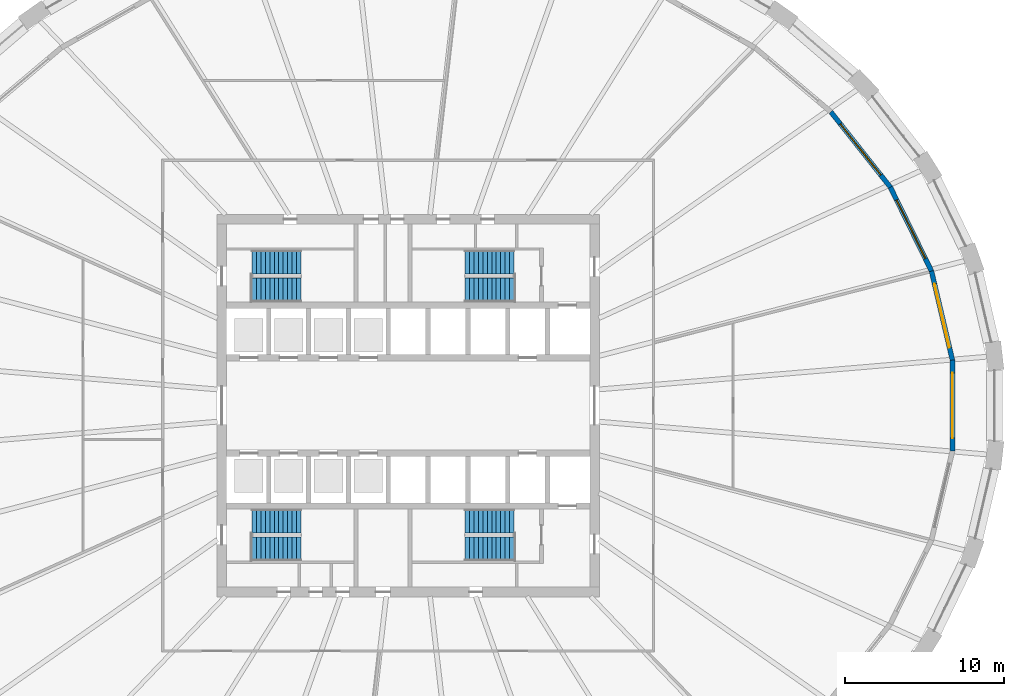
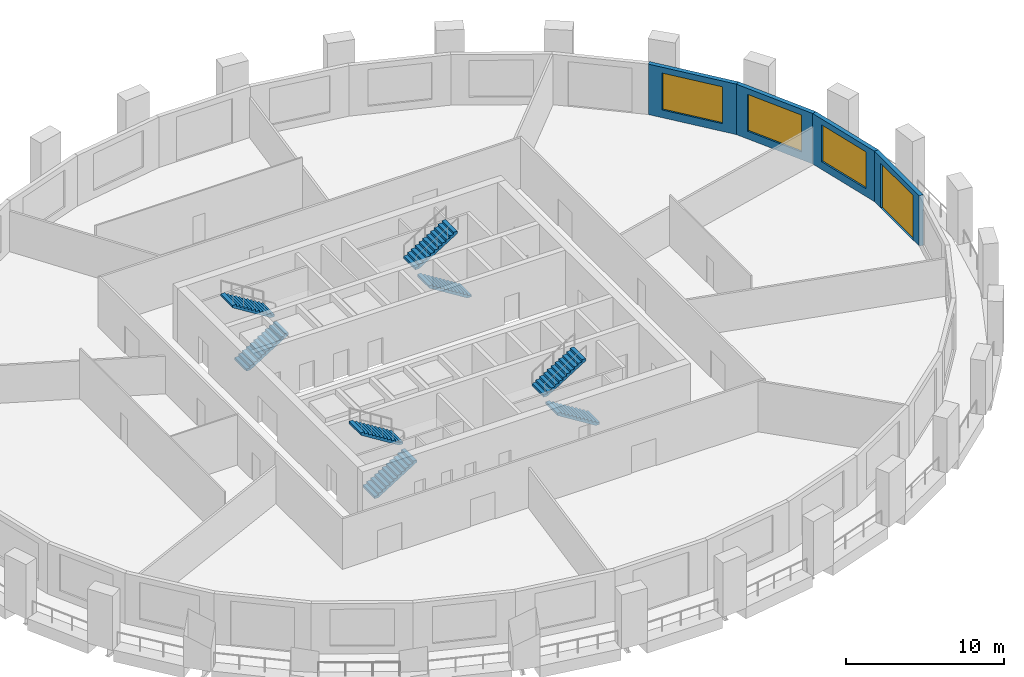
# One storey, part 7 of 10: 8 stair flights, 4 walls, 3 windows, 1 door, 4 openings, 4 elements without a shape of their own.
"""IFC4 building model written with IfcOpenShell, lengths in metres."""

from ifc_helpers import new_model, si_unit, direction, frame, frame_2d, origin, place, context, subcontext, project, spatial, polyline, rectangle, outline, extrude, material, layer, layer_set, type_object, element, fill, aggregate, save


model = new_model("IFC4")

# Units and contexts
model_context = context("Model", 3, precision=1e-05, world=origin(), true_north=direction((0.0, 1.0)))
body_context = subcontext(model_context, "Body", "Model", "MODEL_VIEW")
ifc_project = project(units=[si_unit("LENGTHUNIT", "METRE"), si_unit("AREAUNIT", "SQUARE_METRE"), si_unit("VOLUMEUNIT", "CUBIC_METRE"), si_unit("PLANEANGLEUNIT", "RADIAN"), si_unit("MASSUNIT", "GRAM", prefix="KILO")], contexts=[model_context])

# Site, building, storey
site_placement = place(None, origin())
site = spatial("IfcSite", under=ifc_project, at=site_placement, CompositionType="ELEMENT")
building_placement = place(site_placement, origin())
building = spatial("IfcBuilding", under=site, at=building_placement, Name="Halqa Exchange Tower", CompositionType="ELEMENT")
storey_placement = place(building_placement, frame((0.0, 0.0, 65.5)))
storey = spatial("IfcBuildingStorey", under=building, at=storey_placement, Name="L14", CompositionType="ELEMENT", Elevation=65.5)

# Wall, opening, window
ifc_material_1 = material(Name="Limestone cladding", Category="masonry")
ifc_layer_1 = layer(ifc_material_1, 0.0400390625)
ifc_material_2 = material(Name="Ventilated cavity")
ifc_layer_2 = layer(ifc_material_2, 0.030029296875, ventilated=True)
ifc_material_3 = material(Name="Mineral wool insulation")
ifc_layer_3 = layer(ifc_material_3, 0.10009765625)
ifc_material_4 = material(Name="Concrete C30/37", Category="concrete")
ifc_layer_4 = layer(ifc_material_4, 0.10009765625)
ifc_material_5 = material(Name="Internal plaster")
ifc_layer_5 = layer(ifc_material_5, 0.030029296875)
ifc_layer_set = layer_set([ifc_layer_1, ifc_layer_2, ifc_layer_3, ifc_layer_4, ifc_layer_5], Name="Stone-faced insulated wall 300")
wall_type = type_object("IfcWallType", Name="Stone-faced insulated wall 300", PredefinedType="STANDARD", material=ifc_layer_set)
wall_1_placement = place(storey_placement, frame((34.1591796875, 2.849365234375, 0.0), z_axis=(0.0, 0.0, 1.0), x_axis=(-0.22905355604, 0.973413821797, 0.0)))
wall_1 = element("IfcWall", 1, at=wall_1_placement, inside=storey, type_object=wall_type, Name="Glass-line wall 1", PredefinedType="STANDARD", context=body_context, shape_type="SweptSolid", body=[
    extrude(outline(polyline([(-0.017333984375, -0.14990234375), (5.757568359375, -0.14990234375), (5.723876953125, 0.14990234375), (0.017333984375, 0.14990234375), (-0.017333984375, -0.14990234375)])), origin(), (0.0, 0.0, 1.0), 3.89990234375),
])
opening_1_placement = place(wall_1_placement, frame((0.8203125, 0.0, 0.60009765625)))
opening_1 = element("IfcOpeningElement", 2, at=opening_1_placement, cuts=wall_1, Name="Opening W-F1-01", PredefinedType="OPENING", context=body_context, shape_type="SweptSolid", body=[
    extrude(rectangle(XDim=4.10009765625, YDim=2.85009765625, at=frame_2d((2.050048828125, 1.425048828125))), frame((0.0, 0.162109375, 0.0), z_axis=(0.0, -1.0, 0.0), x_axis=(1.0, 0.0, 0.0)), (0.0, 0.0, 1.0), 0.323974609375),
])
ifc_material_6 = material(Name="Clear low-emissivity glass in aluminium frame", Category="aluminium")
window_type = type_object("IfcWindowType", Name="Fixed clear glazed window 4100 x 2850", PartitioningType="TRIPLE_PANEL_VERTICAL", PredefinedType="WINDOW", material=ifc_material_6)
window_1_placement = place(opening_1_placement, origin())
window_1 = element("IfcWindow", 3, at=window_1_placement, inside=storey, type_object=window_type, Name="Window 1", OverallHeight=2.85009765625, OverallWidth=4.10009765625, PartitioningType="TRIPLE_PANEL_VERTICAL", PredefinedType="WINDOW", context=body_context, shape_type="SweptSolid", body=[
    extrude(rectangle(XDim=4.10009765625, YDim=2.85009765625, at=frame_2d((2.050048828125, 1.425048828125))), frame((0.0, 0.030029296875, 0.0), z_axis=(0.0, -1.0, 0.0), x_axis=(1.0, 0.0, 0.0)), (0.0, 0.0, 1.0), 0.06005859375),
])
fill(opening_1, window_1)

wall_2_placement = place(storey_placement, frame((32.84423828125, 8.4375, 0.0), z_axis=(0.0, 0.0, 1.0), x_axis=(-0.439949735177, 0.898022399786, 0.0)))
wall_2 = element("IfcWall", 4, at=wall_2_placement, inside=storey, type_object=wall_type, Name="Glass-line wall 2", PredefinedType="STANDARD", context=body_context, shape_type="SweptSolid", body=[
    extrude(outline(polyline([(-0.016845703125, -0.14990234375), (5.876220703125, -0.14990234375), (5.843994140625, 0.14990234375), (0.016845703125, 0.14990234375), (-0.016845703125, -0.14990234375)])), origin(), (0.0, 0.0, 1.0), 3.89990234375),
])
opening_2_placement = place(wall_2_placement, frame((0.8798828125, 0.0, 0.60009765625)))
opening_2 = element("IfcOpeningElement", 5, at=opening_2_placement, cuts=wall_2, Name="Opening W-F1-02", PredefinedType="OPENING", context=body_context, shape_type="SweptSolid", body=[
    extrude(rectangle(XDim=4.10009765625, YDim=2.85009765625, at=frame_2d((2.050048828125, 1.425048828125))), frame((0.0, 0.162109375, 0.0), z_axis=(0.0, -1.0, 0.0), x_axis=(1.0, 0.0, 0.0)), (0.0, 0.0, 1.0), 0.323974609375),
])
window_2_placement = place(opening_2_placement, origin())
window_2 = element("IfcWindow", 6, at=window_2_placement, inside=storey, type_object=window_type, Name="Window 1", OverallHeight=2.85009765625, OverallWidth=4.10009765625, PartitioningType="TRIPLE_PANEL_VERTICAL", PredefinedType="WINDOW", context=body_context, shape_type="SweptSolid", body=[
    extrude(rectangle(XDim=4.10009765625, YDim=2.85009765625, at=frame_2d((2.050048828125, 1.425048828125))), frame((0.0, 0.030029296875, 0.0), z_axis=(0.0, -1.0, 0.0), x_axis=(1.0, 0.0, 0.0)), (0.0, 0.0, 1.0), 0.06005859375),
])
fill(opening_2, window_2)

wall_3_placement = place(storey_placement, frame((30.26611328125, 13.699951171875, 0.0), z_axis=(0.0, 0.0, 1.0), x_axis=(-0.620065339223, 0.784550173727, 0.0)))
wall_3 = element("IfcWall", 7, at=wall_3_placement, inside=storey, type_object=wall_type, Name="Glass-line wall 3", PredefinedType="STANDARD", context=body_context, shape_type="SweptSolid", body=[
    extrude(outline(polyline([(-0.01611328125, -0.14990234375), (6.048828125, -0.14990234375), (6.0185546875, 0.14990234375), (0.01611328125, 0.14990234375), (-0.01611328125, -0.14990234375)])), origin(), (0.0, 0.0, 1.0), 3.89990234375),
])
opening_3_placement = place(wall_3_placement, frame((0.966796875, 0.0, 0.60009765625)))
opening_3 = element("IfcOpeningElement", 8, at=opening_3_placement, cuts=wall_3, Name="Opening W-F1-03", PredefinedType="OPENING", context=body_context, shape_type="SweptSolid", body=[
    extrude(rectangle(XDim=4.10009765625, YDim=2.85009765625, at=frame_2d((2.050048828125, 1.425048828125))), frame((0.0, 0.162109375, 0.0), z_axis=(0.0, -1.0, 0.0), x_axis=(1.0, 0.0, 0.0)), (0.0, 0.0, 1.0), 0.323974609375),
])
window_3_placement = place(opening_3_placement, origin())
window_3 = element("IfcWindow", 9, at=window_3_placement, inside=storey, type_object=window_type, Name="Window 1", OverallHeight=2.85009765625, OverallWidth=4.10009765625, PartitioningType="TRIPLE_PANEL_VERTICAL", PredefinedType="WINDOW", context=body_context, shape_type="SweptSolid", body=[
    extrude(rectangle(XDim=4.10009765625, YDim=2.85009765625, at=frame_2d((2.050048828125, 1.425048828125))), frame((0.0, 0.030029296875, 0.0), z_axis=(0.0, -1.0, 0.0), x_axis=(1.0, 0.0, 0.0)), (0.0, 0.0, 1.0), 0.06005859375),
])
fill(opening_3, window_3)

# Wall, opening, door
wall_4_placement = place(storey_placement, frame((34.1591796875, -2.849365234375, 0.0), z_axis=(0.0, 0.0, 1.0), x_axis=(0.0, 1.0, 0.0)))
wall_4 = element("IfcWall", 10, at=wall_4_placement, inside=storey, type_object=wall_type, Name="Glass-line wall 32", PredefinedType="STANDARD", context=body_context, shape_type="SweptSolid", body=[
    extrude(outline(polyline([(-0.017333984375, -0.14990234375), (5.716064453125, -0.14990234375), (5.681396484375, 0.14990234375), (0.017333984375, 0.14990234375), (-0.017333984375, -0.14990234375)])), origin(), (0.0, 0.0, 1.0), 3.89990234375),
])
opening_4_placement = place(wall_4_placement, frame((0.79931640625, 0.0, 0.0)))
opening_4 = element("IfcOpeningElement", 11, at=opening_4_placement, cuts=wall_4, Name="Opening LG-F1-08", PredefinedType="OPENING", context=body_context, shape_type="SweptSolid", body=[
    extrude(rectangle(XDim=4.10009765625, YDim=3.449951171875, at=frame_2d((2.050048828125, 1.72509765625))), frame((0.0, 0.162109375, 0.0), z_axis=(0.0, -1.0, 0.0), x_axis=(1.0, 0.0, 0.0)), (0.0, 0.0, 1.0), 0.323974609375),
])
door_type = type_object("IfcDoorType", Name="Glazed sliding loggia door 4100 x 3450", OperationType="DOUBLE_DOOR_SLIDING", PredefinedType="DOOR", material=ifc_material_6)
door_placement = place(opening_4_placement, origin())
door = element("IfcDoor", 12, at=door_placement, inside=storey, type_object=door_type, Name="Loggia door 8", OperationType="DOUBLE_DOOR_SLIDING", OverallHeight=3.449951171875, OverallWidth=4.10009765625, PredefinedType="DOOR", context=body_context, shape_type="SweptSolid", body=[
    extrude(rectangle(XDim=4.10009765625, YDim=3.449951171875, at=frame_2d((2.050048828125, 1.72509765625))), frame((0.0, 0.02490234375, 0.0), z_axis=(0.0, -1.0, 0.0), x_axis=(1.0, 0.0, 0.0)), (0.0, 0.0, 1.0), 0.050048828125),
])
fill(opening_4, door)

# Stair, stair flights
stair_type = type_object("IfcStairType", Name="Exit stair 1500 wide", PredefinedType="HALF_TURN_STAIR", material=ifc_material_4)
stair_1_placement = place(storey_placement, origin())
stair_1 = element("IfcStair", 13, at=stair_1_placement, inside=storey, type_object=stair_type, Name="Exit stair ST1", PredefinedType="HALF_TURN_STAIR")
stair_flight_type = type_object("IfcStairFlightType", Name="Stair flight 1500 wide", PredefinedType="STRAIGHT", material=ifc_material_4)
stair_flight_1_placement = place(storey_placement, frame((-9.800048828125, 7.25, 0.0), z_axis=(0.0, 0.0, 1.0), x_axis=(1.0, 0.0, 0.0)))
stair_flight_1 = element("IfcStairFlight", 14, at=stair_flight_1_placement, type_object=stair_flight_type, Name="ST1 flight 1", NumberOfRisers=12, NumberOfTreads=11, PredefinedType="STRAIGHT", RiserHeight=0.175, TreadLength=0.28, context=body_context, shape_type="SweptSolid", body=[
    extrude(outline(polyline([(0.0, 0.0), (0.0, 0.175048828125), (0.280029296875, 0.175048828125), (0.280029296875, 0.35009765625), (0.56005859375, 0.35009765625), (0.56005859375, 0.52490234375), (0.840087890625, 0.52490234375), (0.840087890625, 0.699951171875), (1.1201171875, 0.699951171875), (1.1201171875, 0.875), (1.39990234375, 0.875), (1.39990234375, 1.050048828125), (1.679931640625, 1.050048828125), (1.679931640625, 1.22509765625), (1.9599609375, 1.22509765625), (1.9599609375, 1.39990234375), (2.239990234375, 1.39990234375), (2.239990234375, 1.574951171875), (2.52001953125, 1.574951171875), (2.52001953125, 1.75), (2.800048828125, 1.75), (2.800048828125, 1.925048828125), (3.080078125, 1.925048828125), (3.080078125, 2.10009765625), (3.080078125, 1.748291015625), (0.28271484375, 0.0), (0.0, 0.0)])), frame((0.0, 0.75, 0.0), z_axis=(0.0, -1.0, 0.0), x_axis=(1.0, 0.0, 0.0)), (0.0, 0.0, 1.0), 1.5),
])
stair_flight_2_placement = place(storey_placement, frame((-6.719970703125, 9.0, 2.10009765625), z_axis=(0.0, 0.0, 1.0), x_axis=(-1.0, 0.0, 0.0)))
stair_flight_2 = element("IfcStairFlight", 15, at=stair_flight_2_placement, type_object=stair_flight_type, Name="ST1 flight 2", NumberOfRisers=12, NumberOfTreads=11, PredefinedType="STRAIGHT", RiserHeight=0.175, TreadLength=0.28, context=body_context, shape_type="SweptSolid", body=[
    extrude(outline(polyline([(0.0, 0.0), (0.0, 0.175048828125), (0.280029296875, 0.175048828125), (0.280029296875, 0.35009765625), (0.56005859375, 0.35009765625), (0.56005859375, 0.52490234375), (0.840087890625, 0.52490234375), (0.840087890625, 0.699951171875), (1.1201171875, 0.699951171875), (1.1201171875, 0.875), (1.39990234375, 0.875), (1.39990234375, 1.050048828125), (1.679931640625, 1.050048828125), (1.679931640625, 1.22509765625), (1.9599609375, 1.22509765625), (1.9599609375, 1.39990234375), (2.239990234375, 1.39990234375), (2.239990234375, 1.574951171875), (2.52001953125, 1.574951171875), (2.52001953125, 1.75), (2.800048828125, 1.75), (2.800048828125, 1.925048828125), (3.080078125, 1.925048828125), (3.080078125, 2.10009765625), (3.080078125, 1.748291015625), (0.28271484375, 0.0), (0.0, 0.0)])), frame((0.0, 0.75, 0.0), z_axis=(0.0, -1.0, 0.0), x_axis=(1.0, 0.0, 0.0)), (0.0, 0.0, 1.0), 1.5),
])
aggregate(stair_1, [stair_flight_1, stair_flight_2])

stair_2_placement = place(storey_placement, origin())
stair_2 = element("IfcStair", 16, at=stair_2_placement, inside=storey, type_object=stair_type, Name="Exit stair ST2", PredefinedType="HALF_TURN_STAIR")
stair_flight_3_placement = place(storey_placement, frame((6.64990234375, 7.25, 0.0), z_axis=(0.0, 0.0, 1.0), x_axis=(-1.0, 0.0, 0.0)))
stair_flight_3 = element("IfcStairFlight", 17, at=stair_flight_3_placement, type_object=stair_flight_type, Name="ST2 flight 1", NumberOfRisers=12, NumberOfTreads=11, PredefinedType="STRAIGHT", RiserHeight=0.175, TreadLength=0.28, context=body_context, shape_type="SweptSolid", body=[
    extrude(outline(polyline([(0.0, 0.0), (0.0, 0.175048828125), (0.280029296875, 0.175048828125), (0.280029296875, 0.35009765625), (0.56005859375, 0.35009765625), (0.56005859375, 0.52490234375), (0.840087890625, 0.52490234375), (0.840087890625, 0.699951171875), (1.1201171875, 0.699951171875), (1.1201171875, 0.875), (1.39990234375, 0.875), (1.39990234375, 1.050048828125), (1.679931640625, 1.050048828125), (1.679931640625, 1.22509765625), (1.9599609375, 1.22509765625), (1.9599609375, 1.39990234375), (2.239990234375, 1.39990234375), (2.239990234375, 1.574951171875), (2.52001953125, 1.574951171875), (2.52001953125, 1.75), (2.800048828125, 1.75), (2.800048828125, 1.925048828125), (3.080078125, 1.925048828125), (3.080078125, 2.10009765625), (3.080078125, 1.748291015625), (0.28271484375, 0.0), (0.0, 0.0)])), frame((0.0, 0.75, 0.0), z_axis=(0.0, -1.0, 0.0), x_axis=(1.0, 0.0, 0.0)), (0.0, 0.0, 1.0), 1.5),
])
stair_flight_4_placement = place(storey_placement, frame((3.570068359375, 9.0, 2.10009765625), z_axis=(0.0, 0.0, 1.0), x_axis=(1.0, 0.0, 0.0)))
stair_flight_4 = element("IfcStairFlight", 18, at=stair_flight_4_placement, type_object=stair_flight_type, Name="ST2 flight 2", NumberOfRisers=12, NumberOfTreads=11, PredefinedType="STRAIGHT", RiserHeight=0.175, TreadLength=0.28, context=body_context, shape_type="SweptSolid", body=[
    extrude(outline(polyline([(0.0, 0.0), (0.0, 0.175048828125), (0.280029296875, 0.175048828125), (0.280029296875, 0.35009765625), (0.56005859375, 0.35009765625), (0.56005859375, 0.52490234375), (0.840087890625, 0.52490234375), (0.840087890625, 0.699951171875), (1.1201171875, 0.699951171875), (1.1201171875, 0.875), (1.39990234375, 0.875), (1.39990234375, 1.050048828125), (1.679931640625, 1.050048828125), (1.679931640625, 1.22509765625), (1.9599609375, 1.22509765625), (1.9599609375, 1.39990234375), (2.239990234375, 1.39990234375), (2.239990234375, 1.574951171875), (2.52001953125, 1.574951171875), (2.52001953125, 1.75), (2.800048828125, 1.75), (2.800048828125, 1.925048828125), (3.080078125, 1.925048828125), (3.080078125, 2.10009765625), (3.080078125, 1.748291015625), (0.28271484375, 0.0), (0.0, 0.0)])), frame((0.0, 0.75, 0.0), z_axis=(0.0, -1.0, 0.0), x_axis=(1.0, 0.0, 0.0)), (0.0, 0.0, 1.0), 1.5),
])
aggregate(stair_2, [stair_flight_3, stair_flight_4])

stair_3_placement = place(storey_placement, origin())
stair_3 = element("IfcStair", 19, at=stair_3_placement, inside=storey, type_object=stair_type, Name="Exit stair ST3", PredefinedType="HALF_TURN_STAIR")
stair_flight_5_placement = place(storey_placement, frame((-9.800048828125, -9.0, 0.0), z_axis=(0.0, 0.0, 1.0), x_axis=(1.0, 0.0, 0.0)))
stair_flight_5 = element("IfcStairFlight", 20, at=stair_flight_5_placement, type_object=stair_flight_type, Name="ST3 flight 1", NumberOfRisers=12, NumberOfTreads=11, PredefinedType="STRAIGHT", RiserHeight=0.175, TreadLength=0.28, context=body_context, shape_type="SweptSolid", body=[
    extrude(outline(polyline([(0.0, 0.0), (0.0, 0.175048828125), (0.280029296875, 0.175048828125), (0.280029296875, 0.35009765625), (0.56005859375, 0.35009765625), (0.56005859375, 0.52490234375), (0.840087890625, 0.52490234375), (0.840087890625, 0.699951171875), (1.1201171875, 0.699951171875), (1.1201171875, 0.875), (1.39990234375, 0.875), (1.39990234375, 1.050048828125), (1.679931640625, 1.050048828125), (1.679931640625, 1.22509765625), (1.9599609375, 1.22509765625), (1.9599609375, 1.39990234375), (2.239990234375, 1.39990234375), (2.239990234375, 1.574951171875), (2.52001953125, 1.574951171875), (2.52001953125, 1.75), (2.800048828125, 1.75), (2.800048828125, 1.925048828125), (3.080078125, 1.925048828125), (3.080078125, 2.10009765625), (3.080078125, 1.748291015625), (0.28271484375, 0.0), (0.0, 0.0)])), frame((0.0, 0.75, 0.0), z_axis=(0.0, -1.0, 0.0), x_axis=(1.0, 0.0, 0.0)), (0.0, 0.0, 1.0), 1.5),
])
stair_flight_6_placement = place(storey_placement, frame((-6.719970703125, -7.25, 2.10009765625), z_axis=(0.0, 0.0, 1.0), x_axis=(-1.0, 0.0, 0.0)))
stair_flight_6 = element("IfcStairFlight", 21, at=stair_flight_6_placement, type_object=stair_flight_type, Name="ST3 flight 2", NumberOfRisers=12, NumberOfTreads=11, PredefinedType="STRAIGHT", RiserHeight=0.175, TreadLength=0.28, context=body_context, shape_type="SweptSolid", body=[
    extrude(outline(polyline([(0.0, 0.0), (0.0, 0.175048828125), (0.280029296875, 0.175048828125), (0.280029296875, 0.35009765625), (0.56005859375, 0.35009765625), (0.56005859375, 0.52490234375), (0.840087890625, 0.52490234375), (0.840087890625, 0.699951171875), (1.1201171875, 0.699951171875), (1.1201171875, 0.875), (1.39990234375, 0.875), (1.39990234375, 1.050048828125), (1.679931640625, 1.050048828125), (1.679931640625, 1.22509765625), (1.9599609375, 1.22509765625), (1.9599609375, 1.39990234375), (2.239990234375, 1.39990234375), (2.239990234375, 1.574951171875), (2.52001953125, 1.574951171875), (2.52001953125, 1.75), (2.800048828125, 1.75), (2.800048828125, 1.925048828125), (3.080078125, 1.925048828125), (3.080078125, 2.10009765625), (3.080078125, 1.748291015625), (0.28271484375, 0.0), (0.0, 0.0)])), frame((0.0, 0.75, 0.0), z_axis=(0.0, -1.0, 0.0), x_axis=(1.0, 0.0, 0.0)), (0.0, 0.0, 1.0), 1.5),
])
aggregate(stair_3, [stair_flight_5, stair_flight_6])

stair_4_placement = place(storey_placement, origin())
stair_4 = element("IfcStair", 22, at=stair_4_placement, inside=storey, type_object=stair_type, Name="Exit stair ST4", PredefinedType="HALF_TURN_STAIR")
stair_flight_7_placement = place(storey_placement, frame((6.64990234375, -9.0, 0.0), z_axis=(0.0, 0.0, 1.0), x_axis=(-1.0, 0.0, 0.0)))
stair_flight_7 = element("IfcStairFlight", 23, at=stair_flight_7_placement, type_object=stair_flight_type, Name="ST4 flight 1", NumberOfRisers=12, NumberOfTreads=11, PredefinedType="STRAIGHT", RiserHeight=0.175, TreadLength=0.28, context=body_context, shape_type="SweptSolid", body=[
    extrude(outline(polyline([(0.0, 0.0), (0.0, 0.175048828125), (0.280029296875, 0.175048828125), (0.280029296875, 0.35009765625), (0.56005859375, 0.35009765625), (0.56005859375, 0.52490234375), (0.840087890625, 0.52490234375), (0.840087890625, 0.699951171875), (1.1201171875, 0.699951171875), (1.1201171875, 0.875), (1.39990234375, 0.875), (1.39990234375, 1.050048828125), (1.679931640625, 1.050048828125), (1.679931640625, 1.22509765625), (1.9599609375, 1.22509765625), (1.9599609375, 1.39990234375), (2.239990234375, 1.39990234375), (2.239990234375, 1.574951171875), (2.52001953125, 1.574951171875), (2.52001953125, 1.75), (2.800048828125, 1.75), (2.800048828125, 1.925048828125), (3.080078125, 1.925048828125), (3.080078125, 2.10009765625), (3.080078125, 1.748291015625), (0.28271484375, 0.0), (0.0, 0.0)])), frame((0.0, 0.75, 0.0), z_axis=(0.0, -1.0, 0.0), x_axis=(1.0, 0.0, 0.0)), (0.0, 0.0, 1.0), 1.5),
])
stair_flight_8_placement = place(storey_placement, frame((3.570068359375, -7.25, 2.10009765625), z_axis=(0.0, 0.0, 1.0), x_axis=(1.0, 0.0, 0.0)))
stair_flight_8 = element("IfcStairFlight", 24, at=stair_flight_8_placement, type_object=stair_flight_type, Name="ST4 flight 2", NumberOfRisers=12, NumberOfTreads=11, PredefinedType="STRAIGHT", RiserHeight=0.175, TreadLength=0.28, context=body_context, shape_type="SweptSolid", body=[
    extrude(outline(polyline([(0.0, 0.0), (0.0, 0.175048828125), (0.280029296875, 0.175048828125), (0.280029296875, 0.35009765625), (0.56005859375, 0.35009765625), (0.56005859375, 0.52490234375), (0.840087890625, 0.52490234375), (0.840087890625, 0.699951171875), (1.1201171875, 0.699951171875), (1.1201171875, 0.875), (1.39990234375, 0.875), (1.39990234375, 1.050048828125), (1.679931640625, 1.050048828125), (1.679931640625, 1.22509765625), (1.9599609375, 1.22509765625), (1.9599609375, 1.39990234375), (2.239990234375, 1.39990234375), (2.239990234375, 1.574951171875), (2.52001953125, 1.574951171875), (2.52001953125, 1.75), (2.800048828125, 1.75), (2.800048828125, 1.925048828125), (3.080078125, 1.925048828125), (3.080078125, 2.10009765625), (3.080078125, 1.748291015625), (0.28271484375, 0.0), (0.0, 0.0)])), frame((0.0, 0.75, 0.0), z_axis=(0.0, -1.0, 0.0), x_axis=(1.0, 0.0, 0.0)), (0.0, 0.0, 1.0), 1.5),
])
aggregate(stair_4, [stair_flight_7, stair_flight_8])

save(model, "model.ifc")
